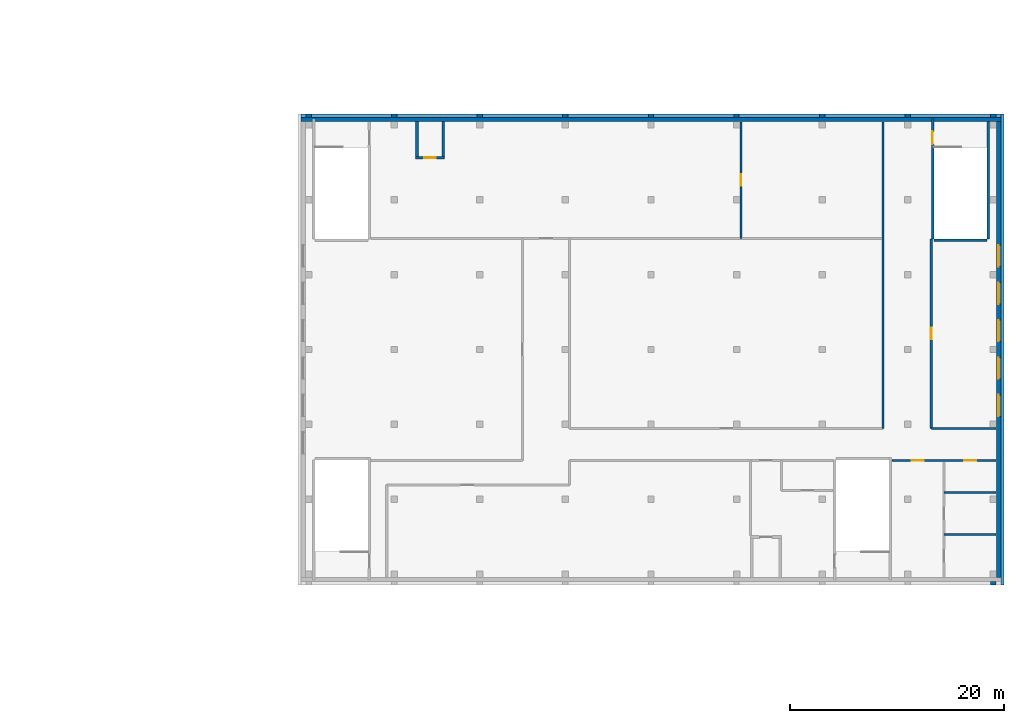
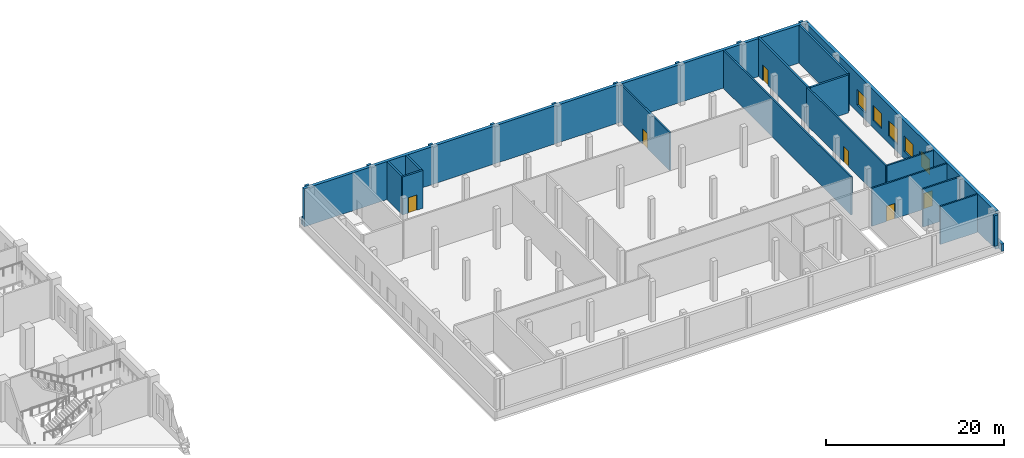
# One storey, part 12 of 25: 27 walls, 6 doors, 5 windows, 11 openings.
"""IFC4 building model written with IfcOpenShell, lengths in metres."""

import ifcopenshell
import ifcopenshell.guid

model = None  # the IFC model being written
_history = None  # IfcOwnerHistory: only IFC2X3 demands one
_inside = {}  # id of a spatial element -> (the spatial element, [elements in it])
_under = {}  # id of a project, library or spatial element -> (it, [spatial elements below it])
_declared = {}  # id of a project -> (the project, [libraries it declares])
_typed = {}  # id of a type object -> (the type object, [elements of that type])
_made_of = {}  # id of a material, layer set ... -> (it, [elements and type objects made of it])


def new_model(schema):
    """Start an empty IFC model of exactly this schema.

    Asked for "IFC4X3", IfcOpenShell would pick the latest addendum, in which some entities
    have other attributes; the version numbers below select the first issue.
    IFC2X3 requires an IfcOwnerHistory on every rooted entity: one is made here for all.
    """
    global model, _history
    if schema == "IFC4X3":
        model = ifcopenshell.file(schema_version=(4, 3, 0, 0))
    else:
        model = ifcopenshell.file(schema=schema)
    _inside.clear()
    _under.clear()
    _declared.clear()
    _typed.clear()
    _made_of.clear()
    _history = None
    if model.schema == "IFC2X3":
        org = make("IfcOrganization", Name="unknown")
        user = make(
            "IfcPersonAndOrganization",
            ThePerson=make("IfcPerson", FamilyName="unknown"),
            TheOrganization=org,
        )
        app = make(
            "IfcApplication",
            ApplicationDeveloper=org,
            Version="unknown",
            ApplicationFullName="unknown",
            ApplicationIdentifier="unknown",
        )
        _history = make(
            "IfcOwnerHistory",
            OwningUser=user,
            OwningApplication=app,
            ChangeAction="ADDED",
            CreationDate=0,
        )
    return model


def make(cls, **values):
    """One entity of the class cls with the attributes given. An attribute that is None is left unset."""
    return model.create_entity(
        cls, **{name: value for name, value in values.items() if value is not None}
    )


def rooted(cls, **values):
    """An entity with a GlobalId (a new one), such as an element, a storey or a relation."""
    return make(cls, GlobalId=ifcopenshell.guid.new(), OwnerHistory=_history, **values)


def si_unit(unit_type, name, prefix=None):
    """IfcSIUnit, for example si_unit("LENGTHUNIT", "METRE", prefix="MILLI")."""
    return make("IfcSIUnit", UnitType=unit_type, Prefix=prefix, Name=name)


def assignment(units):
    """IfcUnitAssignment: the units of a project."""
    return None if units is None else make("IfcUnitAssignment", Units=units)


def point(xyz):
    """IfcCartesianPoint."""
    return None if xyz is None else make("IfcCartesianPoint", Coordinates=xyz)


def direction(xyz):
    """IfcDirection."""
    return None if xyz is None else make("IfcDirection", DirectionRatios=xyz)


def frame(location, z_axis=None, x_axis=None):
    """IfcAxis2Placement3D, a coordinate frame: its origin and axes. An axis left out is left unset."""
    return make(
        "IfcAxis2Placement3D",
        Location=point(location),
        Axis=direction(z_axis),
        RefDirection=direction(x_axis),
    )


def frame_2d(location, x_axis=None):
    """IfcAxis2Placement2D, a coordinate frame in the plane: its origin and x axis."""
    return make(
        "IfcAxis2Placement2D", Location=point(location), RefDirection=direction(x_axis)
    )


def origin():
    """The frame at (0, 0, 0) with its axes left unset."""
    return frame((0.0, 0.0, 0.0))


def place(relative_to, where):
    """IfcLocalPlacement: puts the frame where relative to a parent placement (None: the world)."""
    return make(
        "IfcLocalPlacement", PlacementRelTo=relative_to, RelativePlacement=where
    )


def context(
    kind, dimensions, precision=None, world=None, true_north=None, identifier=None
):
    """IfcGeometricRepresentationContext, for example the 3D "Model" context."""
    return make(
        "IfcGeometricRepresentationContext",
        ContextIdentifier=identifier,
        ContextType=kind,
        CoordinateSpaceDimension=dimensions,
        Precision=precision,
        WorldCoordinateSystem=world,
        TrueNorth=true_north,
    )


def subcontext(parent, identifier, kind, view, scale=None):
    """IfcGeometricRepresentationSubContext, for example "Body" below "Model"."""
    return make(
        "IfcGeometricRepresentationSubContext",
        ContextIdentifier=identifier,
        ContextType=kind,
        ParentContext=parent,
        TargetScale=scale,
        TargetView=view,
    )


def project(units=None, contexts=None):
    """IfcProject with its units and contexts."""
    return rooted(
        "IfcProject",
        Name="project",
        RepresentationContexts=contexts,
        UnitsInContext=assignment(units),
    )


def spatial(cls, under=None, at=None, **own):
    """A site, building, storey or space (cls), placed at a placement, below another one or the project."""
    s = rooted(cls, ObjectPlacement=at, **own)
    if under is not None:
        _under.setdefault(under.id(), (under, []))[1].append(s)
    return s


def profile(cls, at=None, kind="AREA", **sizes):
    """A parametric profile (cls). Its sizes go by their IFC names, for example OverallWidth=200.0."""
    return make(cls, ProfileType=kind, Position=at, **sizes)


def rectangle(**sizes):
    """IfcRectangleProfileDef."""
    return profile("IfcRectangleProfileDef", **sizes)


def extrude(swept, where, along, depth):
    """IfcExtrudedAreaSolid: the profile swept, set in the frame where, extruded along a direction by depth."""
    return make(
        "IfcExtrudedAreaSolid",
        SweptArea=swept,
        Position=where,
        ExtrudedDirection=direction(along),
        Depth=depth,
    )


def shape(context_of_items, identifier, shape_type, items):
    """IfcShapeRepresentation: the items that make up one representation, for example the "Body"."""
    return make(
        "IfcShapeRepresentation",
        ContextOfItems=context_of_items,
        RepresentationIdentifier=identifier,
        RepresentationType=shape_type,
        Items=items,
    )


def material(Name=None, Category=None):
    """IfcMaterial."""
    return make("IfcMaterial", Name=Name, Category=Category)


def layer(
    of_material, thickness, ventilated=None, Name=None, Category=None, Priority=None
):
    """IfcMaterialLayer: one layer of a wall or slab, of a material (None: an air gap)."""
    return make(
        "IfcMaterialLayer",
        Material=of_material,
        LayerThickness=thickness,
        IsVentilated=ventilated,
        Name=Name,
        Category=Category,
        Priority=Priority,
    )


def layer_set(layers, Name=None):
    """IfcMaterialLayerSet."""
    return make("IfcMaterialLayerSet", MaterialLayers=layers, LayerSetName=Name)


def made_of(thing, what):
    """Note that an element or type object is made of a material, layer set ...; save() writes the relation."""
    if what is not None:
        _made_of.setdefault(what.id(), (what, []))[1].append(thing)
    return thing


def type_object(cls, material=None, **own):
    """A type object (cls), such as IfcWallType, which elements share."""
    return made_of(rooted(cls, **own), material)


def element(
    cls,
    number,
    at=None,
    inside=None,
    cuts=None,
    type_object=None,
    material=None,
    context=None,
    identifier="Body",
    shape_type=None,
    held_by="IfcProductDefinitionShape",
    body=None,
    shapes=None,
    **own,
):
    """One element of the class cls, such as IfcWall. Its Tag is "e" and its number.

    at: its placement. inside: the storey or other place that contains it. cuts: it is an
    opening in that element (IfcRelVoidsElement). A single representation is given by context,
    identifier, shape_type and body (its items); several are given by shapes. held_by: the class
    of the entity that holds the representations. save() writes the other relations.
    """
    e = rooted(cls, Tag="e%d" % number, ObjectPlacement=at, **own)
    if body is not None:
        shapes = [shape(context, identifier, shape_type, body)]
    if shapes is not None:
        e.Representation = make(held_by, Representations=shapes)
    if inside is not None:
        _inside.setdefault(inside.id(), (inside, []))[1].append(e)
    if cuts is not None:
        rooted(
            "IfcRelVoidsElement", RelatingBuildingElement=cuts, RelatedOpeningElement=e
        )
    if type_object is not None:
        _typed.setdefault(type_object.id(), (type_object, []))[1].append(e)
    return made_of(e, material)


def fill(opening, filler):
    """IfcRelFillsElement: the door or window that sits in an opening."""
    return rooted(
        "IfcRelFillsElement",
        RelatingOpeningElement=opening,
        RelatedBuildingElement=filler,
    )


def aggregate(whole, parts):
    """IfcRelAggregates: a whole, such as a stair, and the parts it consists of."""
    return rooted("IfcRelAggregates", RelatingObject=whole, RelatedObjects=parts)


def save(model, path):
    """Write the relations noted so far, then the file.

    IfcRelAggregates (storeys below a building ...), IfcRelContainedInSpatialStructure (elements
    in a storey), IfcRelDefinesByType, IfcRelAssociatesMaterial and IfcRelDeclares: one each for
    every whole, place, type object, material and project.
    """
    for whole, parts in _under.values():
        aggregate(whole, parts)
    for where, things in _inside.values():
        rooted(
            "IfcRelContainedInSpatialStructure",
            RelatedElements=things,
            RelatingStructure=where,
        )
    for kind, things in _typed.values():
        rooted("IfcRelDefinesByType", RelatedObjects=things, RelatingType=kind)
    for what, things in _made_of.values():
        rooted("IfcRelAssociatesMaterial", RelatedObjects=things, RelatingMaterial=what)
    for by, libraries in _declared.values():
        rooted("IfcRelDeclares", RelatingContext=by, RelatedDefinitions=libraries)
    model.write(path)


model = new_model("IFC4")

# Units and contexts
model_context = context("Model", 3, precision=1e-05, world=origin(), true_north=direction((0.0, 1.0)))
body_context = subcontext(model_context, "Body", "Model", "MODEL_VIEW")
ifc_project = project(units=[si_unit("LENGTHUNIT", "METRE"), si_unit("AREAUNIT", "SQUARE_METRE"), si_unit("VOLUMEUNIT", "CUBIC_METRE"), si_unit("PLANEANGLEUNIT", "RADIAN"), si_unit("MASSUNIT", "GRAM", prefix="KILO")], contexts=[model_context])

# Site, building, storey
site_placement = place(None, origin())
site = spatial("IfcSite", under=ifc_project, at=site_placement, CompositionType="ELEMENT")
building_placement = place(site_placement, origin())
building = spatial("IfcBuilding", under=site, at=building_placement, Name="Tamorin Gate", CompositionType="ELEMENT")
storey_placement = place(building_placement, frame((0.0, 0.0, 23.5)))
storey = spatial("IfcBuildingStorey", under=building, at=storey_placement, Name="L04", CompositionType="ELEMENT", Elevation=23.5)

# Wall, openings, doors
ifc_material_1 = material(Name="Dense blockwork, plastered", Category="masonry")
ifc_layer_1 = layer(ifc_material_1, 0.199951171875)
ifc_layer_set_1 = layer_set([ifc_layer_1], Name="Blockwork partition 200")
wall_type_1 = type_object("IfcWallType", Name="Blockwork partition 200", PredefinedType="PARTITIONING", material=ifc_layer_set_1)
wall_1_placement = place(storey_placement, frame((200.22998046875, 66.330078125, 0.0), z_axis=(0.0, 0.0, 1.0), x_axis=(1.0, 0.0, 0.0)))
wall_1 = element("IfcWall", 1, at=wall_1_placement, inside=storey, type_object=wall_type_1, Name="Partition", PredefinedType="PARTITIONING", context=body_context, shape_type="SweptSolid", body=[
    extrude(rectangle(XDim=9.719970703125, YDim=0.199951171875, at=frame_2d((4.85986328125, 0.0))), origin(), (0.0, 0.0, 1.0), 5.199951171875),
])
opening_1_placement = place(wall_1_placement, frame((1.8701171875, 0.0, 0.0)))
opening_1 = element("IfcOpeningElement", 2, at=opening_1_placement, cuts=wall_1, Name="Opening DM97", PredefinedType="OPENING", context=body_context, shape_type="SweptSolid", body=[
    extrude(rectangle(XDim=1.10009765625, YDim=2.10009765625, at=frame_2d((0.550048828125, 1.050048828125))), frame((0.0, 0.10986328125, 0.0), z_axis=(0.0, -1.0, 0.0), x_axis=(1.0, 0.0, 0.0)), (0.0, 0.0, 1.0), 0.219970703125),
])
opening_2_placement = place(wall_1_placement, frame((6.77001953125, 0.0, 0.0)))
opening_2 = element("IfcOpeningElement", 3, at=opening_2_placement, cuts=wall_1, Name="Opening DM98", PredefinedType="OPENING", context=body_context, shape_type="SweptSolid", body=[
    extrude(rectangle(XDim=1.10009765625, YDim=2.10009765625, at=frame_2d((0.550048828125, 1.050048828125))), frame((0.0, 0.10986328125, 0.0), z_axis=(0.0, -1.0, 0.0), x_axis=(1.0, 0.0, 0.0)), (0.0, 0.0, 1.0), 0.219970703125),
])
ifc_material_2 = material(Name="Steel, painted", Category="steel")
door_type_1 = type_object("IfcDoorType", Name="Museum door 1100x2100", OperationType="SINGLE_SWING_LEFT", PredefinedType="DOOR", material=ifc_material_2)
door_1_placement = place(opening_1_placement, origin())
door_1 = element("IfcDoor", 4, at=door_1_placement, inside=storey, type_object=door_type_1, Name="Door Public WC", OperationType="SINGLE_SWING_LEFT", OverallHeight=2.10009765625, OverallWidth=1.10009765625, PredefinedType="DOOR", context=body_context, shape_type="SweptSolid", body=[
    extrude(rectangle(XDim=1.10009765625, YDim=2.10009765625, at=frame_2d((0.550048828125, 1.050048828125))), frame((0.0, 0.02490234375, 0.0), z_axis=(0.0, -1.0, 0.0), x_axis=(1.0, 0.0, 0.0)), (0.0, 0.0, 1.0), 0.050048828125),
])
fill(opening_1, door_1)
door_2_placement = place(opening_2_placement, origin())
door_2 = element("IfcDoor", 5, at=door_2_placement, inside=storey, type_object=door_type_1, Name="Door Accessible WC", OperationType="SINGLE_SWING_RIGHT", OverallHeight=2.10009765625, OverallWidth=1.10009765625, PredefinedType="DOOR", context=body_context, shape_type="SweptSolid", body=[
    extrude(rectangle(XDim=1.10009765625, YDim=2.10009765625, at=frame_2d((0.550048828125, 1.050048828125))), frame((0.0, 0.02490234375, 0.0), z_axis=(0.0, -1.0, 0.0), x_axis=(1.0, 0.0, 0.0)), (0.0, 0.0, 1.0), 0.050048828125),
])
fill(opening_2, door_2)

# Walls
for number, where, z_axis, x_axis, name in (
    (6, (205.10009765625, 63.330078125, 0.0), (0.0, 0.0, 1.0), (1.0, 0.0, 0.0), "Partition"),
    (7, (205.10009765625, 59.39990234375, 0.0), (0.0, 0.0, 1.0), (1.0, 0.0, 0.0), "Partition"),
):
    element("IfcWall", number, at=place(storey_placement, frame(where, z_axis=z_axis, x_axis=x_axis)), inside=storey, type_object=wall_type_1, Name=name, PredefinedType="PARTITIONING", context=body_context, shape_type="SweptSolid", body=[
        extrude(rectangle(XDim=4.849853515625, YDim=0.199951171875, at=frame_2d((2.4248046875, 0.0))), origin(), (0.0, 0.0, 1.0), 5.199951171875),
    ])
wall_2_placement = place(storey_placement, frame((203.89990234375, 69.330078125, 0.0), z_axis=(0.0, 0.0, 1.0), x_axis=(1.0, 0.0, 0.0)))
element("IfcWall", 8, at=wall_2_placement, inside=storey, type_object=wall_type_1, Name="Partition", PredefinedType="PARTITIONING", context=body_context, shape_type="SweptSolid", body=[
    extrude(rectangle(XDim=6.050048828125, YDim=0.199951171875, at=frame_2d((3.02490234375, 0.0))), origin(), (0.0, 0.0, 1.0), 5.199951171875),
])
wall_3_placement = place(storey_placement, frame((199.39990234375, 69.330078125, 0.0), z_axis=(0.0, 0.0, 1.0), x_axis=(0.0, 1.0, 0.0)))
element("IfcWall", 9, at=wall_3_placement, inside=storey, type_object=wall_type_1, Name="Partition", PredefinedType="PARTITIONING", context=body_context, shape_type="SweptSolid", body=[
    extrude(rectangle(XDim=28.619873046875, YDim=0.199951171875, at=frame_2d((14.31005859375, 0.0))), origin(), (0.0, 0.0, 1.0), 5.199951171875),
])

# Wall, opening, door
wall_4_placement = place(storey_placement, frame((203.89990234375, 69.330078125, 0.0), z_axis=(0.0, 0.0, 1.0), x_axis=(0.0, 1.0, 0.0)))
wall_4 = element("IfcWall", 10, at=wall_4_placement, inside=storey, type_object=wall_type_1, Name="Partition", PredefinedType="PARTITIONING", context=body_context, shape_type="SweptSolid", body=[
    extrude(rectangle(XDim=17.7099609375, YDim=0.199951171875, at=frame_2d((8.85498046875, 0.0))), origin(), (0.0, 0.0, 1.0), 5.199951171875),
])
opening_3_placement = place(wall_4_placement, frame((8.320068359375, 0.0, 0.0)))
opening_3 = element("IfcOpeningElement", 11, at=opening_3_placement, cuts=wall_4, Name="Opening DM103", PredefinedType="OPENING", context=body_context, shape_type="SweptSolid", body=[
    extrude(rectangle(XDim=1.10009765625, YDim=2.10009765625, at=frame_2d((0.550048828125, 1.050048828125))), frame((0.0, 0.10986328125, 0.0), z_axis=(0.0, -1.0, 0.0), x_axis=(1.0, 0.0, 0.0)), (0.0, 0.0, 1.0), 0.219970703125),
])
door_3_placement = place(opening_3_placement, origin())
door_3 = element("IfcDoor", 12, at=door_3_placement, inside=storey, type_object=door_type_1, Name="Door Curators' offices east", OperationType="SINGLE_SWING_LEFT", OverallHeight=2.10009765625, OverallWidth=1.10009765625, PredefinedType="DOOR", context=body_context, shape_type="SweptSolid", body=[
    extrude(rectangle(XDim=1.10009765625, YDim=2.10009765625, at=frame_2d((0.550048828125, 1.050048828125))), frame((0.0, 0.02490234375, 0.0), z_axis=(0.0, -1.0, 0.0), x_axis=(1.0, 0.0, 0.0)), (0.0, 0.0, 1.0), 0.050048828125),
])
fill(opening_3, door_3)

wall_5_placement = place(storey_placement, frame((186.10009765625, 87.070068359375, 0.0), z_axis=(0.0, 0.0, 1.0), x_axis=(0.0, 1.0, 0.0)))
wall_5 = element("IfcWall", 13, at=wall_5_placement, inside=storey, type_object=wall_type_1, Name="Partition", PredefinedType="PARTITIONING", context=body_context, shape_type="SweptSolid", body=[
    extrude(rectangle(XDim=10.8798828125, YDim=0.199951171875, at=frame_2d((5.43994140625, 0.0))), origin(), (0.0, 0.0, 1.0), 5.199951171875),
])
opening_4_placement = place(wall_5_placement, frame((4.9150390625, 0.0, 0.0)))
opening_4 = element("IfcOpeningElement", 14, at=opening_4_placement, cuts=wall_5, Name="Opening DM105", PredefinedType="OPENING", context=body_context, shape_type="SweptSolid", body=[
    extrude(rectangle(XDim=1.10009765625, YDim=2.10009765625, at=frame_2d((0.550048828125, 1.050048828125))), frame((0.0, 0.10986328125, 0.0), z_axis=(0.0, -1.0, 0.0), x_axis=(1.0, 0.0, 0.0)), (0.0, 0.0, 1.0), 0.219970703125),
])
door_4_placement = place(opening_4_placement, origin())
door_4 = element("IfcDoor", 15, at=door_4_placement, inside=storey, type_object=door_type_1, Name="Door Plant and roof access room", OperationType="SINGLE_SWING_LEFT", OverallHeight=2.10009765625, OverallWidth=1.10009765625, PredefinedType="DOOR", context=body_context, shape_type="SweptSolid", body=[
    extrude(rectangle(XDim=1.10009765625, YDim=2.10009765625, at=frame_2d((0.550048828125, 1.050048828125))), frame((0.0, 0.02490234375, 0.0), z_axis=(0.0, -1.0, 0.0), x_axis=(1.0, 0.0, 0.0)), (0.0, 0.0, 1.0), 0.050048828125),
])
fill(opening_4, door_4)

# Wall
ifc_material_3 = material(Name="Concrete C40/50", Category="concrete")
ifc_layer_2 = layer(ifc_material_3, 0.39990234375)
ifc_layer_set_2 = layer_set([ifc_layer_2], Name="Board-marked concrete facade wall 400 C40/50")
wall_type_2 = type_object("IfcWallType", Name="Board-marked concrete facade wall 400 C40/50", PredefinedType="SOLIDWALL", material=ifc_layer_set_2)
wall_6_placement = place(storey_placement, frame((145.0, 98.199951171875, 0.0), z_axis=(0.0, 0.0, 1.0), x_axis=(1.0, 0.0, 0.0)))
element("IfcWall", 16, at=wall_6_placement, inside=storey, type_object=wall_type_2, Name="Facade wall", PredefinedType="SOLIDWALL", context=body_context, shape_type="SweptSolid", body=[
    extrude(rectangle(XDim=65.39990234375, YDim=0.39990234375, at=frame_2d((32.699951171875, 0.0))), origin(), (0.0, 0.0, 1.0), 5.199951171875),
])

# Wall, openings, windows
wall_7_placement = place(storey_placement, frame((210.199951171875, 55.39990234375, 0.0), z_axis=(0.0, 0.0, 1.0), x_axis=(0.0, 1.0, 0.0)))
wall_7 = element("IfcWall", 17, at=wall_7_placement, inside=storey, type_object=wall_type_2, Name="Facade wall", PredefinedType="SOLIDWALL", context=body_context, shape_type="SweptSolid", body=[
    extrude(rectangle(XDim=42.60009765625, YDim=0.39990234375, at=frame_2d((21.300048828125, 0.0))), origin(), (0.0, 0.0, 1.0), 5.199951171875),
])
opening_5_placement = place(wall_7_placement, frame((15.050048828125, 0.0, 1.0)))
opening_5 = element("IfcOpeningElement", 18, at=opening_5_placement, cuts=wall_7, Name="Opening WNM1", PredefinedType="OPENING", context=body_context, shape_type="SweptSolid", body=[
    extrude(rectangle(XDim=2.0, YDim=2.10009765625, at=frame_2d((1.0, 1.050048828125))), frame((0.0, 0.2099609375, 0.0), z_axis=(0.0, -1.0, 0.0), x_axis=(1.0, 0.0, 0.0)), (0.0, 0.0, 1.0), 0.419921875),
])
opening_6_placement = place(wall_7_placement, frame((18.550048828125, 0.0, 1.0)))
opening_6 = element("IfcOpeningElement", 19, at=opening_6_placement, cuts=wall_7, Name="Opening WNM1", PredefinedType="OPENING", context=body_context, shape_type="SweptSolid", body=[
    extrude(rectangle(XDim=2.0, YDim=2.10009765625, at=frame_2d((1.0, 1.050048828125))), frame((0.0, 0.2099609375, 0.0), z_axis=(0.0, -1.0, 0.0), x_axis=(1.0, 0.0, 0.0)), (0.0, 0.0, 1.0), 0.419921875),
])
opening_7_placement = place(wall_7_placement, frame((22.050048828125, 0.0, 1.0)))
opening_7 = element("IfcOpeningElement", 20, at=opening_7_placement, cuts=wall_7, Name="Opening WNM1", PredefinedType="OPENING", context=body_context, shape_type="SweptSolid", body=[
    extrude(rectangle(XDim=2.0, YDim=2.10009765625, at=frame_2d((1.0, 1.050048828125))), frame((0.0, 0.2099609375, 0.0), z_axis=(0.0, -1.0, 0.0), x_axis=(1.0, 0.0, 0.0)), (0.0, 0.0, 1.0), 0.419921875),
])
opening_8_placement = place(wall_7_placement, frame((25.550048828125, 0.0, 1.0)))
opening_8 = element("IfcOpeningElement", 21, at=opening_8_placement, cuts=wall_7, Name="Opening WNM1", PredefinedType="OPENING", context=body_context, shape_type="SweptSolid", body=[
    extrude(rectangle(XDim=2.0, YDim=2.10009765625, at=frame_2d((1.0, 1.050048828125))), frame((0.0, 0.2099609375, 0.0), z_axis=(0.0, -1.0, 0.0), x_axis=(1.0, 0.0, 0.0)), (0.0, 0.0, 1.0), 0.419921875),
])
opening_9_placement = place(wall_7_placement, frame((29.050048828125, 0.0, 1.0)))
opening_9 = element("IfcOpeningElement", 22, at=opening_9_placement, cuts=wall_7, Name="Opening WNM1", PredefinedType="OPENING", context=body_context, shape_type="SweptSolid", body=[
    extrude(rectangle(XDim=2.0, YDim=2.10009765625, at=frame_2d((1.0, 1.050048828125))), frame((0.0, 0.2099609375, 0.0), z_axis=(0.0, -1.0, 0.0), x_axis=(1.0, 0.0, 0.0)), (0.0, 0.0, 1.0), 0.419921875),
])
ifc_material_4 = material(Name="Aluminium and glass", Category="aluminium")
window_type = type_object("IfcWindowType", Name="Deep-set window 2400x1500", PartitioningType="SINGLE_PANEL", PredefinedType="WINDOW", material=ifc_material_4)
window_1_placement = place(opening_5_placement, origin())
window_1 = element("IfcWindow", 23, at=window_1_placement, inside=storey, type_object=window_type, Name="Deep-set window", OverallHeight=2.10009765625, OverallWidth=2.0, PartitioningType="SINGLE_PANEL", PredefinedType="WINDOW", context=body_context, shape_type="SweptSolid", body=[
    extrude(rectangle(XDim=2.0, YDim=2.10009765625, at=frame_2d((1.0, 1.050048828125))), frame((0.0, 0.030029296875, 0.0), z_axis=(0.0, -1.0, 0.0), x_axis=(1.0, 0.0, 0.0)), (0.0, 0.0, 1.0), 0.06005859375),
])
fill(opening_5, window_1)
window_2_placement = place(opening_6_placement, origin())
window_2 = element("IfcWindow", 24, at=window_2_placement, inside=storey, type_object=window_type, Name="Deep-set window", OverallHeight=2.10009765625, OverallWidth=2.0, PartitioningType="SINGLE_PANEL", PredefinedType="WINDOW", context=body_context, shape_type="SweptSolid", body=[
    extrude(rectangle(XDim=2.0, YDim=2.10009765625, at=frame_2d((1.0, 1.050048828125))), frame((0.0, 0.030029296875, 0.0), z_axis=(0.0, -1.0, 0.0), x_axis=(1.0, 0.0, 0.0)), (0.0, 0.0, 1.0), 0.06005859375),
])
fill(opening_6, window_2)
window_3_placement = place(opening_7_placement, origin())
window_3 = element("IfcWindow", 25, at=window_3_placement, inside=storey, type_object=window_type, Name="Deep-set window", OverallHeight=2.10009765625, OverallWidth=2.0, PartitioningType="SINGLE_PANEL", PredefinedType="WINDOW", context=body_context, shape_type="SweptSolid", body=[
    extrude(rectangle(XDim=2.0, YDim=2.10009765625, at=frame_2d((1.0, 1.050048828125))), frame((0.0, 0.030029296875, 0.0), z_axis=(0.0, -1.0, 0.0), x_axis=(1.0, 0.0, 0.0)), (0.0, 0.0, 1.0), 0.06005859375),
])
fill(opening_7, window_3)
window_4_placement = place(opening_8_placement, origin())
window_4 = element("IfcWindow", 26, at=window_4_placement, inside=storey, type_object=window_type, Name="Deep-set window", OverallHeight=2.10009765625, OverallWidth=2.0, PartitioningType="SINGLE_PANEL", PredefinedType="WINDOW", context=body_context, shape_type="SweptSolid", body=[
    extrude(rectangle(XDim=2.0, YDim=2.10009765625, at=frame_2d((1.0, 1.050048828125))), frame((0.0, 0.030029296875, 0.0), z_axis=(0.0, -1.0, 0.0), x_axis=(1.0, 0.0, 0.0)), (0.0, 0.0, 1.0), 0.06005859375),
])
fill(opening_8, window_4)
window_5_placement = place(opening_9_placement, origin())
window_5 = element("IfcWindow", 27, at=window_5_placement, inside=storey, type_object=window_type, Name="Deep-set window", OverallHeight=2.10009765625, OverallWidth=2.0, PartitioningType="SINGLE_PANEL", PredefinedType="WINDOW", context=body_context, shape_type="SweptSolid", body=[
    extrude(rectangle(XDim=2.0, YDim=2.10009765625, at=frame_2d((1.0, 1.050048828125))), frame((0.0, 0.030029296875, 0.0), z_axis=(0.0, -1.0, 0.0), x_axis=(1.0, 0.0, 0.0)), (0.0, 0.0, 1.0), 0.06005859375),
])
fill(opening_9, window_5)

# Wall, opening, door
ifc_layer_3 = layer(ifc_material_3, 0.25)
ifc_layer_set_3 = layer_set([ifc_layer_3], Name="Museum stair and lift enclosure wall 250 C40/50")
wall_type_3 = type_object("IfcWallType", Name="Museum stair and lift enclosure wall 250 C40/50", PredefinedType="SHEAR", material=ifc_layer_set_3)
wall_8_placement = place(storey_placement, frame((204.02490234375, 87.0400390625, 0.0), z_axis=(0.0, 0.0, 1.0), x_axis=(0.0, 1.0, 0.0)))
wall_8 = element("IfcWall", 28, at=wall_8_placement, inside=storey, type_object=wall_type_3, Name="Stair PS9 wall", PredefinedType="SHEAR", context=body_context, shape_type="SweptSolid", body=[
    extrude(rectangle(XDim=11.2099609375, YDim=0.25, at=frame_2d((5.60498046875, 0.0))), origin(), (0.0, 0.0, 1.0), 5.199951171875),
])
opening_10_placement = place(wall_8_placement, frame((8.860107421875, 0.0, 0.0)))
opening_10 = element("IfcOpeningElement", 29, at=opening_10_placement, cuts=wall_8, Name="Opening DM24", PredefinedType="OPENING", context=body_context, shape_type="SweptSolid", body=[
    extrude(rectangle(XDim=1.199951171875, YDim=2.10009765625, at=frame_2d((0.60009765625, 1.050048828125))), frame((0.0, 0.135009765625, 0.0), z_axis=(0.0, -1.0, 0.0), x_axis=(1.0, 0.0, 0.0)), (0.0, 0.0, 1.0), 0.27001953125),
])
door_type_2 = type_object("IfcDoorType", Name="Museum stair door 1200x2100 FD90", OperationType="SINGLE_SWING_LEFT", PredefinedType="DOOR", material=ifc_material_2)
door_5_placement = place(opening_10_placement, origin())
door_5 = element("IfcDoor", 30, at=door_5_placement, inside=storey, type_object=door_type_2, Name="Stair door", OperationType="SINGLE_SWING_RIGHT", OverallHeight=2.10009765625, OverallWidth=1.199951171875, PredefinedType="DOOR", context=body_context, shape_type="SweptSolid", body=[
    extrude(rectangle(XDim=1.199951171875, YDim=2.10009765625, at=frame_2d((0.60009765625, 1.050048828125))), frame((0.0, 0.02490234375, 0.0), z_axis=(0.0, -1.0, 0.0), x_axis=(1.0, 0.0, 0.0)), (0.0, 0.0, 1.0), 0.050048828125),
])
fill(opening_10, door_5)

# Walls
wall_9_placement = place(storey_placement, frame((209.22509765625, 87.0400390625, 0.0), z_axis=(0.0, 0.0, 1.0), x_axis=(0.0, 1.0, 0.0)))
element("IfcWall", 31, at=wall_9_placement, inside=storey, type_object=wall_type_3, Name="Stair PS9 wall", PredefinedType="SHEAR", context=body_context, shape_type="SweptSolid", body=[
    extrude(rectangle(XDim=10.9599609375, YDim=0.25, at=frame_2d((5.47998046875, 0.0))), origin(), (0.0, 0.0, 1.0), 5.199951171875),
])
wall_10_placement = place(storey_placement, frame((204.14990234375, 86.9150390625, 0.0), z_axis=(0.0, 0.0, 1.0), x_axis=(1.0, 0.0, 0.0)))
element("IfcWall", 32, at=wall_10_placement, inside=storey, type_object=wall_type_3, Name="Stair PS9 wall", PredefinedType="SHEAR", context=body_context, shape_type="SweptSolid", body=[
    extrude(rectangle(XDim=4.9501953125, YDim=0.25, at=frame_2d((2.47509765625, 0.0))), origin(), (0.0, 0.0, 1.0), 5.199951171875),
])

# Wall, opening, door
wall_11_placement = place(storey_placement, frame((155.699951171875, 94.625, 0.0), z_axis=(0.0, 0.0, 1.0), x_axis=(1.0, 0.0, 0.0)))
wall_11 = element("IfcWall", 33, at=wall_11_placement, inside=storey, type_object=wall_type_3, Name="Lift shaft LM1", PredefinedType="SHEAR", context=body_context, shape_type="SweptSolid", body=[
    extrude(rectangle(XDim=2.699951171875, YDim=0.25, at=frame_2d((1.35009765625, 0.0))), origin(), (0.0, 0.0, 1.0), 5.199951171875),
])
opening_11_placement = place(wall_11_placement, frame((0.800048828125, 0.0, 0.0)))
opening_11 = element("IfcOpeningElement", 34, at=opening_11_placement, cuts=wall_11, Name="Opening LD24", PredefinedType="OPENING", context=body_context, shape_type="SweptSolid", body=[
    extrude(rectangle(XDim=1.10009765625, YDim=2.10009765625, at=frame_2d((0.550048828125, 1.050048828125))), frame((0.0, 0.135009765625, 0.0), z_axis=(0.0, -1.0, 0.0), x_axis=(1.0, 0.0, 0.0)), (0.0, 0.0, 1.0), 0.27001953125),
])
ifc_material_5 = material(Name="Stainless steel", Category="steel")
door_type_3 = type_object("IfcDoorType", Name="Museum lift landing door 1100x2100", OperationType="DOUBLE_DOOR_SLIDING", PredefinedType="DOOR", material=ifc_material_5)
door_6_placement = place(opening_11_placement, origin())
door_6 = element("IfcDoor", 35, at=door_6_placement, inside=storey, type_object=door_type_3, Name="Lift landing door", OperationType="DOUBLE_DOOR_SLIDING", OverallHeight=2.10009765625, OverallWidth=1.10009765625, PredefinedType="DOOR", context=body_context, shape_type="SweptSolid", body=[
    extrude(rectangle(XDim=1.10009765625, YDim=2.10009765625, at=frame_2d((0.550048828125, 1.050048828125))), frame((0.0, 0.02490234375, 0.0), z_axis=(0.0, -1.0, 0.0), x_axis=(1.0, 0.0, 0.0)), (0.0, 0.0, 1.0), 0.050048828125),
])
fill(opening_11, door_6)

# Walls
for number, where, z_axis, x_axis, name in (
    (36, (155.824951171875, 94.75, 0.0), (0.0, 0.0, 1.0), (0.0, 1.0, 0.0), "Lift shaft LM1"),
    (37, (158.27490234375, 94.75, 0.0), (0.0, 0.0, 1.0), (0.0, 1.0, 0.0), "Lift shaft LM1"),
):
    element("IfcWall", number, at=place(storey_placement, frame(where, z_axis=z_axis, x_axis=x_axis)), inside=storey, type_object=wall_type_3, Name=name, PredefinedType="SHEAR", context=body_context, shape_type="SweptSolid", body=[
        extrude(rectangle(XDim=3.25, YDim=0.25, at=frame_2d((1.625, 0.0))), origin(), (0.0, 0.0, 1.0), 5.199951171875),
    ])
ifc_layer_4 = layer(ifc_material_3, 0.300048828125)
ifc_layer_set_4 = layer_set([ifc_layer_4], Name="Precast concrete band wall 300 C40/50")
wall_type_4 = type_object("IfcWallType", Name="Precast concrete band wall 300 C40/50", PredefinedType="STANDARD", material=ifc_layer_set_4)
wall_12_placement = place(storey_placement, frame((145.0, 98.550048828125, 0.0), z_axis=(0.0, 0.0, 1.0), x_axis=(1.0, 0.0, 0.0)))
element("IfcWall", 38, at=wall_12_placement, inside=storey, type_object=wall_type_4, Name="Precast band", PredefinedType="STANDARD", context=body_context, shape_type="SweptSolid", body=[
    extrude(rectangle(XDim=65.39990234375, YDim=0.300048828125, at=frame_2d((32.699951171875, 0.0))), origin(), (0.0, 0.0, 1.0), 1.0),
])
wall_13_placement = place(storey_placement, frame((210.550048828125, 54.699951171875, 0.0), z_axis=(0.0, 0.0, 1.0), x_axis=(0.0, 1.0, 0.0)))
element("IfcWall", 39, at=wall_13_placement, inside=storey, type_object=wall_type_4, Name="Precast band", PredefinedType="STANDARD", context=body_context, shape_type="SweptSolid", body=[
    extrude(rectangle(XDim=44.0, YDim=0.300048828125, at=frame_2d((22.0, 0.0))), origin(), (0.0, 0.0, 1.0), 1.0),
])
ifc_layer_5 = layer(ifc_material_3, 0.5)
ifc_layer_set_5 = layer_set([ifc_layer_5], Name="Precast rib wall 500 C40/50")
wall_type_5 = type_object("IfcWallType", Name="Precast rib wall 500 C40/50", PredefinedType="STANDARD", material=ifc_layer_set_5)
for number, where, z_axis, x_axis, name in (
    (40, (145.699951171875, 98.39990234375, 1.0), (0.0, 0.0, 1.0), (0.0, 1.0, 0.0), "Precast rib"),
    (41, (153.699951171875, 98.39990234375, 1.0), (0.0, 0.0, 1.0), (0.0, 1.0, 0.0), "Precast rib"),
    (42, (161.699951171875, 98.39990234375, 1.0), (0.0, 0.0, 1.0), (0.0, 1.0, 0.0), "Precast rib"),
    (43, (169.699951171875, 98.39990234375, 1.0), (0.0, 0.0, 1.0), (0.0, 1.0, 0.0), "Precast rib"),
    (44, (177.699951171875, 98.39990234375, 1.0), (0.0, 0.0, 1.0), (0.0, 1.0, 0.0), "Precast rib"),
    (45, (185.699951171875, 98.39990234375, 1.0), (0.0, 0.0, 1.0), (0.0, 1.0, 0.0), "Precast rib"),
    (46, (193.699951171875, 98.39990234375, 1.0), (0.0, 0.0, 1.0), (0.0, 1.0, 0.0), "Precast rib"),
    (47, (201.699951171875, 98.39990234375, 1.0), (0.0, 0.0, 1.0), (0.0, 1.0, 0.0), "Precast rib"),
    (48, (209.699951171875, 54.699951171875, 1.0), (0.0, 0.0, 1.0), (0.0, 1.0, 0.0), "Precast rib"),
    (49, (209.699951171875, 98.39990234375, 1.0), (0.0, 0.0, 1.0), (0.0, 1.0, 0.0), "Precast rib"),
):
    element("IfcWall", number, at=place(storey_placement, frame(where, z_axis=z_axis, x_axis=x_axis)), inside=storey, type_object=wall_type_5, Name=name, PredefinedType="STANDARD", context=body_context, shape_type="SweptSolid", body=[
        extrude(rectangle(XDim=0.300048828125, YDim=0.5, at=frame_2d((0.14990234375, 0.0))), origin(), (0.0, 0.0, 1.0), 4.199951171875),
    ])

save(model, "model.ifc")
